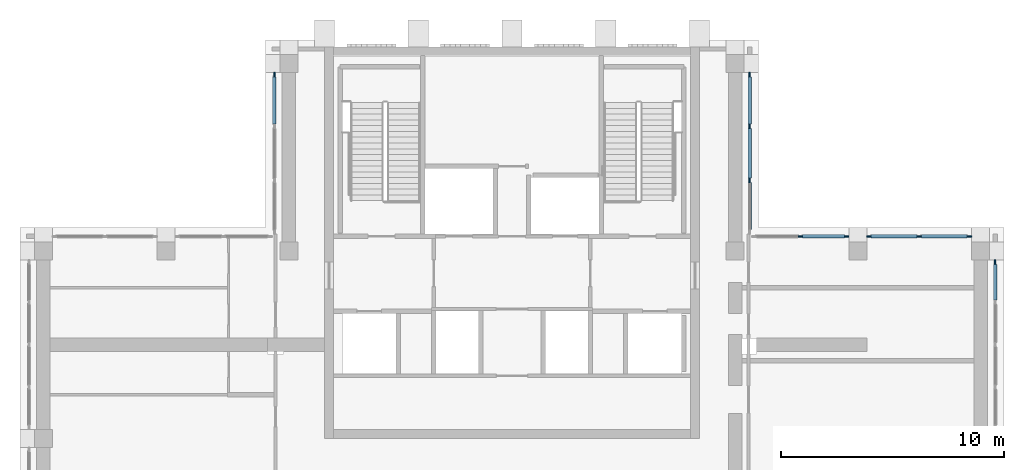
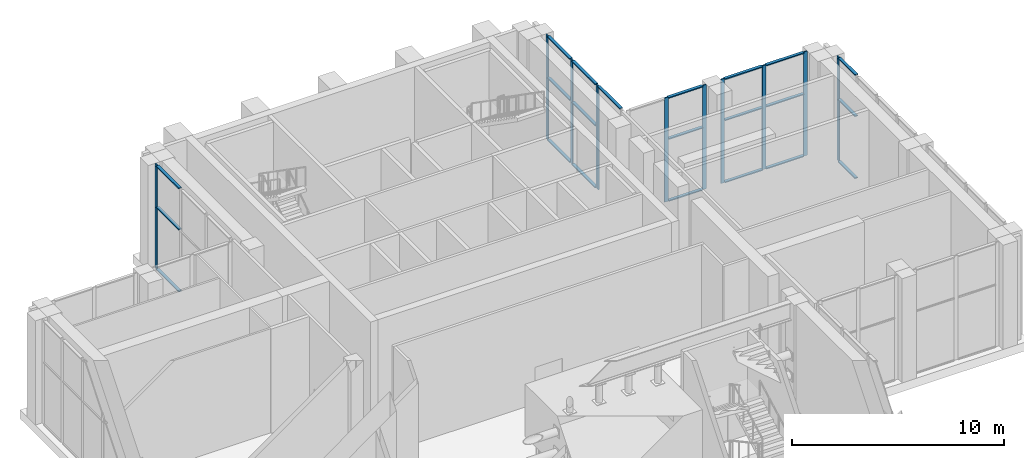
# One storey, part 6 of 14: 32 members, 5 elements without a shape of their own.
"""IFC4 building model written with IfcOpenShell, lengths in metres."""

import ifcopenshell
import ifcopenshell.guid

model = None  # the IFC model being written
_history = None  # IfcOwnerHistory: only IFC2X3 demands one
_inside = {}  # id of a spatial element -> (the spatial element, [elements in it])
_under = {}  # id of a project, library or spatial element -> (it, [spatial elements below it])
_declared = {}  # id of a project -> (the project, [libraries it declares])
_typed = {}  # id of a type object -> (the type object, [elements of that type])
_made_of = {}  # id of a material, layer set ... -> (it, [elements and type objects made of it])


def new_model(schema):
    """Start an empty IFC model of exactly this schema.

    Asked for "IFC4X3", IfcOpenShell would pick the latest addendum, in which some entities
    have other attributes; the version numbers below select the first issue.
    IFC2X3 requires an IfcOwnerHistory on every rooted entity: one is made here for all.
    """
    global model, _history
    if schema == "IFC4X3":
        model = ifcopenshell.file(schema_version=(4, 3, 0, 0))
    else:
        model = ifcopenshell.file(schema=schema)
    _inside.clear()
    _under.clear()
    _declared.clear()
    _typed.clear()
    _made_of.clear()
    _history = None
    if model.schema == "IFC2X3":
        org = make("IfcOrganization", Name="unknown")
        user = make(
            "IfcPersonAndOrganization",
            ThePerson=make("IfcPerson", FamilyName="unknown"),
            TheOrganization=org,
        )
        app = make(
            "IfcApplication",
            ApplicationDeveloper=org,
            Version="unknown",
            ApplicationFullName="unknown",
            ApplicationIdentifier="unknown",
        )
        _history = make(
            "IfcOwnerHistory",
            OwningUser=user,
            OwningApplication=app,
            ChangeAction="ADDED",
            CreationDate=0,
        )
    return model


def make(cls, **values):
    """One entity of the class cls with the attributes given. An attribute that is None is left unset."""
    return model.create_entity(
        cls, **{name: value for name, value in values.items() if value is not None}
    )


def rooted(cls, **values):
    """An entity with a GlobalId (a new one), such as an element, a storey or a relation."""
    return make(cls, GlobalId=ifcopenshell.guid.new(), OwnerHistory=_history, **values)


def si_unit(unit_type, name, prefix=None):
    """IfcSIUnit, for example si_unit("LENGTHUNIT", "METRE", prefix="MILLI")."""
    return make("IfcSIUnit", UnitType=unit_type, Prefix=prefix, Name=name)


def assignment(units):
    """IfcUnitAssignment: the units of a project."""
    return None if units is None else make("IfcUnitAssignment", Units=units)


def point(xyz):
    """IfcCartesianPoint."""
    return None if xyz is None else make("IfcCartesianPoint", Coordinates=xyz)


def direction(xyz):
    """IfcDirection."""
    return None if xyz is None else make("IfcDirection", DirectionRatios=xyz)


def frame(location, z_axis=None, x_axis=None):
    """IfcAxis2Placement3D, a coordinate frame: its origin and axes. An axis left out is left unset."""
    return make(
        "IfcAxis2Placement3D",
        Location=point(location),
        Axis=direction(z_axis),
        RefDirection=direction(x_axis),
    )


def frame_2d(location, x_axis=None):
    """IfcAxis2Placement2D, a coordinate frame in the plane: its origin and x axis."""
    return make(
        "IfcAxis2Placement2D", Location=point(location), RefDirection=direction(x_axis)
    )


def origin():
    """The frame at (0, 0, 0) with its axes left unset."""
    return frame((0.0, 0.0, 0.0))


def origin_2d():
    """The frame at (0, 0) in the plane with its x axis left unset."""
    return frame_2d((0.0, 0.0))


def place(relative_to, where):
    """IfcLocalPlacement: puts the frame where relative to a parent placement (None: the world)."""
    return make(
        "IfcLocalPlacement", PlacementRelTo=relative_to, RelativePlacement=where
    )


def context(
    kind, dimensions, precision=None, world=None, true_north=None, identifier=None
):
    """IfcGeometricRepresentationContext, for example the 3D "Model" context."""
    return make(
        "IfcGeometricRepresentationContext",
        ContextIdentifier=identifier,
        ContextType=kind,
        CoordinateSpaceDimension=dimensions,
        Precision=precision,
        WorldCoordinateSystem=world,
        TrueNorth=true_north,
    )


def subcontext(parent, identifier, kind, view, scale=None):
    """IfcGeometricRepresentationSubContext, for example "Body" below "Model"."""
    return make(
        "IfcGeometricRepresentationSubContext",
        ContextIdentifier=identifier,
        ContextType=kind,
        ParentContext=parent,
        TargetScale=scale,
        TargetView=view,
    )


def project(units=None, contexts=None):
    """IfcProject with its units and contexts."""
    return rooted(
        "IfcProject",
        Name="project",
        RepresentationContexts=contexts,
        UnitsInContext=assignment(units),
    )


def spatial(cls, under=None, at=None, **own):
    """A site, building, storey or space (cls), placed at a placement, below another one or the project."""
    s = rooted(cls, ObjectPlacement=at, **own)
    if under is not None:
        _under.setdefault(under.id(), (under, []))[1].append(s)
    return s


def profile(cls, at=None, kind="AREA", **sizes):
    """A parametric profile (cls). Its sizes go by their IFC names, for example OverallWidth=200.0."""
    return make(cls, ProfileType=kind, Position=at, **sizes)


def rectangle(**sizes):
    """IfcRectangleProfileDef."""
    return profile("IfcRectangleProfileDef", **sizes)


def extrude(swept, where, along, depth):
    """IfcExtrudedAreaSolid: the profile swept, set in the frame where, extruded along a direction by depth."""
    return make(
        "IfcExtrudedAreaSolid",
        SweptArea=swept,
        Position=where,
        ExtrudedDirection=direction(along),
        Depth=depth,
    )


def shape(context_of_items, identifier, shape_type, items):
    """IfcShapeRepresentation: the items that make up one representation, for example the "Body"."""
    return make(
        "IfcShapeRepresentation",
        ContextOfItems=context_of_items,
        RepresentationIdentifier=identifier,
        RepresentationType=shape_type,
        Items=items,
    )


def material(Name=None, Category=None):
    """IfcMaterial."""
    return make("IfcMaterial", Name=Name, Category=Category)


def material_profile(
    of_material, cross_section, Name=None, Category=None, Priority=None
):
    """IfcMaterialProfile: a cross section and its material."""
    return make(
        "IfcMaterialProfile",
        Name=Name,
        Material=of_material,
        Profile=cross_section,
        Priority=Priority,
        Category=Category,
    )


def profile_set(profiles, Name=None, composite=None):
    """IfcMaterialProfileSet."""
    return make(
        "IfcMaterialProfileSet",
        Name=Name,
        MaterialProfiles=profiles,
        CompositeProfile=composite,
    )


def made_of(thing, what):
    """Note that an element or type object is made of a material, layer set ...; save() writes the relation."""
    if what is not None:
        _made_of.setdefault(what.id(), (what, []))[1].append(thing)
    return thing


def type_object(cls, material=None, **own):
    """A type object (cls), such as IfcWallType, which elements share."""
    return made_of(rooted(cls, **own), material)


def element(
    cls,
    number,
    at=None,
    inside=None,
    cuts=None,
    type_object=None,
    material=None,
    context=None,
    identifier="Body",
    shape_type=None,
    held_by="IfcProductDefinitionShape",
    body=None,
    shapes=None,
    **own,
):
    """One element of the class cls, such as IfcWall. Its Tag is "e" and its number.

    at: its placement. inside: the storey or other place that contains it. cuts: it is an
    opening in that element (IfcRelVoidsElement). A single representation is given by context,
    identifier, shape_type and body (its items); several are given by shapes. held_by: the class
    of the entity that holds the representations. save() writes the other relations.
    """
    e = rooted(cls, Tag="e%d" % number, ObjectPlacement=at, **own)
    if body is not None:
        shapes = [shape(context, identifier, shape_type, body)]
    if shapes is not None:
        e.Representation = make(held_by, Representations=shapes)
    if inside is not None:
        _inside.setdefault(inside.id(), (inside, []))[1].append(e)
    if cuts is not None:
        rooted(
            "IfcRelVoidsElement", RelatingBuildingElement=cuts, RelatedOpeningElement=e
        )
    if type_object is not None:
        _typed.setdefault(type_object.id(), (type_object, []))[1].append(e)
    return made_of(e, material)


def aggregate(whole, parts):
    """IfcRelAggregates: a whole, such as a stair, and the parts it consists of."""
    return rooted("IfcRelAggregates", RelatingObject=whole, RelatedObjects=parts)


def save(model, path):
    """Write the relations noted so far, then the file.

    IfcRelAggregates (storeys below a building ...), IfcRelContainedInSpatialStructure (elements
    in a storey), IfcRelDefinesByType, IfcRelAssociatesMaterial and IfcRelDeclares: one each for
    every whole, place, type object, material and project.
    """
    for whole, parts in _under.values():
        aggregate(whole, parts)
    for where, things in _inside.values():
        rooted(
            "IfcRelContainedInSpatialStructure",
            RelatedElements=things,
            RelatingStructure=where,
        )
    for kind, things in _typed.values():
        rooted("IfcRelDefinesByType", RelatedObjects=things, RelatingType=kind)
    for what, things in _made_of.values():
        rooted("IfcRelAssociatesMaterial", RelatedObjects=things, RelatingMaterial=what)
    for by, libraries in _declared.values():
        rooted("IfcRelDeclares", RelatingContext=by, RelatedDefinitions=libraries)
    model.write(path)


model = new_model("IFC4")

# Units and contexts
model_context = context("Model", 3, precision=1e-05, world=origin(), true_north=direction((0.0, 1.0)))
body_context = subcontext(model_context, "Body", "Model", "MODEL_VIEW")
ifc_project = project(units=[si_unit("LENGTHUNIT", "METRE"), si_unit("AREAUNIT", "SQUARE_METRE"), si_unit("VOLUMEUNIT", "CUBIC_METRE"), si_unit("PLANEANGLEUNIT", "RADIAN"), si_unit("MASSUNIT", "GRAM", prefix="KILO")], contexts=[model_context])

# Site, building, storey
site_placement = place(None, origin())
site = spatial("IfcSite", under=ifc_project, at=site_placement, CompositionType="ELEMENT")
building_placement = place(site_placement, origin())
building = spatial("IfcBuilding", under=site, at=building_placement, Name="Vermilion Ogive Tower", CompositionType="ELEMENT")
storey_placement = place(building_placement, frame((0.0, 0.0, 278.35009765625)))
storey = spatial("IfcBuildingStorey", under=building, at=storey_placement, Name="L73", CompositionType="ELEMENT", Elevation=278.35009765625)

# Curtain wall, member
ifc_material_1 = material(Name="Laminated solar-control glazing in aluminium frame", Category="aluminium")
curtain_wall_type = type_object("IfcCurtainWallType", Name="Curtain wall CW4", PredefinedType="NOTDEFINED", material=ifc_material_1)
curtain_wall_1_placement = place(storey_placement, origin())
curtain_wall_1 = element("IfcCurtainWall", 1, at=curtain_wall_1_placement, inside=storey, type_object=curtain_wall_type, Name="CW4 glazing E2", PredefinedType="NOTDEFINED")
ifc_material_2 = material(Name="Aluminium mullion", Category="aluminium")
ifc_material_profile_1 = material_profile(ifc_material_2, rectangle(XDim=0.06005859375, YDim=0.199951171875, at=origin_2d()), Name="AL 60x200")
ifc_profile_set_1 = profile_set([ifc_material_profile_1], Name="Aluminium mullion")
member_type_1 = type_object("IfcMemberType", Name="CW4 mullion 60x200", PredefinedType="MULLION", material=ifc_profile_set_1)
member_1_placement = place(storey_placement, frame((21.64990234375, 12.10009765625, 0.0), z_axis=(0.0, 0.0, 1.0), x_axis=(-1.0, 0.0, 0.0)))
member_1 = element("IfcMember", 2, at=member_1_placement, type_object=member_type_1, Name="CW4-E2 mullion 5", PredefinedType="MULLION", context=body_context, shape_type="SweptSolid", body=[
    extrude(rectangle(XDim=0.06005859375, YDim=0.199951171875, at=origin_2d()), origin(), (0.0, 0.0, 1.0), 6.0),
])

# Curtain wall, members
curtain_wall_2_placement = place(storey_placement, origin())
curtain_wall_2 = element("IfcCurtainWall", 3, at=curtain_wall_2_placement, inside=storey, type_object=curtain_wall_type, Name="CW4 glazing X31", PredefinedType="NOTDEFINED")
member_2_placement = place(storey_placement, frame((20.5, 13.25, 0.0), z_axis=(0.0, 0.0, 1.0), x_axis=(0.0, -1.0, 0.0)))
member_2 = element("IfcMember", 4, at=member_2_placement, type_object=member_type_1, Name="CW4-X31 mullion 1", PredefinedType="MULLION", context=body_context, shape_type="SweptSolid", body=[
    extrude(rectangle(XDim=0.06005859375, YDim=0.199951171875, at=origin_2d()), origin(), (0.0, 0.0, 1.0), 6.0),
])
member_3_placement = place(storey_placement, frame((18.25, 13.25, 0.0), z_axis=(0.0, 0.0, 1.0), x_axis=(0.0, -1.0, 0.0)))
member_3 = element("IfcMember", 5, at=member_3_placement, type_object=member_type_1, Name="CW4-X31 mullion 2", PredefinedType="MULLION", context=body_context, shape_type="SweptSolid", body=[
    extrude(rectangle(XDim=0.06005859375, YDim=0.199951171875, at=origin_2d()), origin(), (0.0, 0.0, 1.0), 6.0),
])
member_4_placement = place(storey_placement, frame((16.0, 13.25, 0.0), z_axis=(0.0, 0.0, 1.0), x_axis=(0.0, -1.0, 0.0)))
member_4 = element("IfcMember", 6, at=member_4_placement, type_object=member_type_1, Name="CW4-X31 mullion 3", PredefinedType="MULLION", context=body_context, shape_type="SweptSolid", body=[
    extrude(rectangle(XDim=0.06005859375, YDim=0.199951171875, at=origin_2d()), origin(), (0.0, 0.0, 1.0), 6.0),
])

curtain_wall_3_placement = place(storey_placement, origin())
curtain_wall_3 = element("IfcCurtainWall", 7, at=curtain_wall_3_placement, inside=storey, type_object=curtain_wall_type, Name="CW4 glazing X32", PredefinedType="NOTDEFINED")
member_5_placement = place(storey_placement, frame((15.0, 13.25, 0.0), z_axis=(0.0, 0.0, 1.0), x_axis=(0.0, -1.0, 0.0)))
member_5 = element("IfcMember", 8, at=member_5_placement, type_object=member_type_1, Name="CW4-X32 mullion 1", PredefinedType="MULLION", context=body_context, shape_type="SweptSolid", body=[
    extrude(rectangle(XDim=0.06005859375, YDim=0.199951171875, at=origin_2d()), origin(), (0.0, 0.0, 1.0), 6.0),
])
member_6_placement = place(storey_placement, frame((12.925048828125, 13.25, 0.0), z_axis=(0.0, 0.0, 1.0), x_axis=(0.0, -1.0, 0.0)))
member_6 = element("IfcMember", 9, at=member_6_placement, type_object=member_type_1, Name="CW4-X32 mullion 2", PredefinedType="MULLION", context=body_context, shape_type="SweptSolid", body=[
    extrude(rectangle(XDim=0.06005859375, YDim=0.199951171875, at=origin_2d()), origin(), (0.0, 0.0, 1.0), 6.0),
])

curtain_wall_4_placement = place(storey_placement, origin())
curtain_wall_4 = element("IfcCurtainWall", 10, at=curtain_wall_4_placement, inside=storey, type_object=curtain_wall_type, Name="CW4 glazing X41", PredefinedType="NOTDEFINED")
member_7_placement = place(storey_placement, frame((10.64990234375, 15.7666015625, 0.0), z_axis=(0.0, 0.0, 1.0), x_axis=(-1.0, 0.0, 0.0)))
member_7 = element("IfcMember", 11, at=member_7_placement, type_object=member_type_1, Name="CW4-X41 mullion 2", PredefinedType="MULLION", context=body_context, shape_type="SweptSolid", body=[
    extrude(rectangle(XDim=0.06005859375, YDim=0.199951171875, at=origin_2d()), origin(), (0.0, 0.0, 1.0), 6.0),
])
member_8_placement = place(storey_placement, frame((10.64990234375, 18.183349609375, 0.0), z_axis=(0.0, 0.0, 1.0), x_axis=(-1.0, 0.0, 0.0)))
member_8 = element("IfcMember", 12, at=member_8_placement, type_object=member_type_1, Name="CW4-X41 mullion 3", PredefinedType="MULLION", context=body_context, shape_type="SweptSolid", body=[
    extrude(rectangle(XDim=0.06005859375, YDim=0.199951171875, at=origin_2d()), origin(), (0.0, 0.0, 1.0), 6.0),
])
member_9_placement = place(storey_placement, frame((10.64990234375, 20.5, 0.0), z_axis=(0.0, 0.0, 1.0), x_axis=(-1.0, 0.0, 0.0)))
member_9 = element("IfcMember", 13, at=member_9_placement, type_object=member_type_1, Name="CW4-X41 mullion 4", PredefinedType="MULLION", context=body_context, shape_type="SweptSolid", body=[
    extrude(rectangle(XDim=0.06005859375, YDim=0.199951171875, at=origin_2d()), origin(), (0.0, 0.0, 1.0), 6.0),
])

# Curtain wall, member
curtain_wall_5_placement = place(storey_placement, origin())
curtain_wall_5 = element("IfcCurtainWall", 14, at=curtain_wall_5_placement, inside=storey, type_object=curtain_wall_type, Name="CW4 glazing X51", PredefinedType="NOTDEFINED")
member_10_placement = place(storey_placement, frame((-10.64990234375, 20.5, 0.0), z_axis=(0.0, 0.0, 1.0), x_axis=(1.0, 0.0, 0.0)))
member_10 = element("IfcMember", 15, at=member_10_placement, type_object=member_type_1, Name="CW4-X51 mullion 1", PredefinedType="MULLION", context=body_context, shape_type="SweptSolid", body=[
    extrude(rectangle(XDim=0.06005859375, YDim=0.199951171875, at=origin_2d()), origin(), (0.0, 0.0, 1.0), 6.0),
])

# Member
ifc_material_3 = material(Name="Aluminium transom", Category="aluminium")
ifc_material_profile_2 = material_profile(ifc_material_3, rectangle(XDim=0.159912109375, YDim=0.06005859375, at=origin_2d()), Name="AL 60x160")
ifc_profile_set_2 = profile_set([ifc_material_profile_2], Name="Aluminium transom")
member_type_2 = type_object("IfcMemberType", Name="CW4 transom 60x160", PredefinedType="USERDEFINED", material=ifc_profile_set_2)
member_11_placement = place(storey_placement, frame((21.64990234375, 10.39990234375, 0.02978515625), z_axis=(0.0, 1.0, 0.0), x_axis=(-1.0, 0.0, 0.0)))
member_11 = element("IfcMember", 16, at=member_11_placement, type_object=member_type_2, Name="CW4-E2 transom 4.1", ObjectType="TRANSOM", PredefinedType="USERDEFINED", context=body_context, shape_type="SweptSolid", body=[
    extrude(rectangle(XDim=0.159912109375, YDim=0.06005859375, at=origin_2d()), origin(), (0.0, 0.0, 1.0), 1.60009765625),
])

member_12_placement = place(storey_placement, frame((21.64990234375, 10.39990234375, 3.599853515625), z_axis=(0.0, 1.0, 0.0), x_axis=(-1.0, 0.0, 0.0)))
member_12 = element("IfcMember", 17, at=member_12_placement, type_object=member_type_2, Name="CW4-E2 transom 4.2", ObjectType="TRANSOM", PredefinedType="USERDEFINED", context=body_context, shape_type="SweptSolid", body=[
    extrude(rectangle(XDim=0.159912109375, YDim=0.06005859375, at=origin_2d()), origin(), (0.0, 0.0, 1.0), 1.60009765625),
])

member_13_placement = place(storey_placement, frame((21.64990234375, 10.39990234375, 5.969970703125), z_axis=(0.0, 1.0, 0.0), x_axis=(-1.0, 0.0, 0.0)))
member_13 = element("IfcMember", 18, at=member_13_placement, type_object=member_type_2, Name="CW4-E2 transom 4.3", ObjectType="TRANSOM", PredefinedType="USERDEFINED", context=body_context, shape_type="SweptSolid", body=[
    extrude(rectangle(XDim=0.159912109375, YDim=0.06005859375, at=origin_2d()), origin(), (0.0, 0.0, 1.0), 1.60009765625),
])

aggregate(curtain_wall_1, [member_1, member_11, member_12, member_13])

member_14_placement = place(storey_placement, frame((20.39990234375, 13.25, 0.02978515625), z_axis=(-1.0, 0.0, 0.0), x_axis=(0.0, -1.0, 0.0)))
member_14 = element("IfcMember", 19, at=member_14_placement, type_object=member_type_2, Name="CW4-X31 transom 1.1", ObjectType="TRANSOM", PredefinedType="USERDEFINED", context=body_context, shape_type="SweptSolid", body=[
    extrude(rectangle(XDim=0.159912109375, YDim=0.06005859375, at=origin_2d()), origin(), (0.0, 0.0, 1.0), 2.0498046875),
])

member_15_placement = place(storey_placement, frame((20.39990234375, 13.25, 3.599853515625), z_axis=(-1.0, 0.0, 0.0), x_axis=(0.0, -1.0, 0.0)))
member_15 = element("IfcMember", 20, at=member_15_placement, type_object=member_type_2, Name="CW4-X31 transom 1.2", ObjectType="TRANSOM", PredefinedType="USERDEFINED", context=body_context, shape_type="SweptSolid", body=[
    extrude(rectangle(XDim=0.159912109375, YDim=0.06005859375, at=origin_2d()), origin(), (0.0, 0.0, 1.0), 2.0498046875),
])

member_16_placement = place(storey_placement, frame((20.39990234375, 13.25, 5.969970703125), z_axis=(-1.0, 0.0, 0.0), x_axis=(0.0, -1.0, 0.0)))
member_16 = element("IfcMember", 21, at=member_16_placement, type_object=member_type_2, Name="CW4-X31 transom 1.3", ObjectType="TRANSOM", PredefinedType="USERDEFINED", context=body_context, shape_type="SweptSolid", body=[
    extrude(rectangle(XDim=0.159912109375, YDim=0.06005859375, at=origin_2d()), origin(), (0.0, 0.0, 1.0), 2.0498046875),
])

member_17_placement = place(storey_placement, frame((18.14990234375, 13.25, 0.02978515625), z_axis=(-1.0, 0.0, 0.0), x_axis=(0.0, -1.0, 0.0)))
member_17 = element("IfcMember", 22, at=member_17_placement, type_object=member_type_2, Name="CW4-X31 transom 2.1", ObjectType="TRANSOM", PredefinedType="USERDEFINED", context=body_context, shape_type="SweptSolid", body=[
    extrude(rectangle(XDim=0.159912109375, YDim=0.06005859375, at=origin_2d()), origin(), (0.0, 0.0, 1.0), 2.0498046875),
])

member_18_placement = place(storey_placement, frame((18.14990234375, 13.25, 3.599853515625), z_axis=(-1.0, 0.0, 0.0), x_axis=(0.0, -1.0, 0.0)))
member_18 = element("IfcMember", 23, at=member_18_placement, type_object=member_type_2, Name="CW4-X31 transom 2.2", ObjectType="TRANSOM", PredefinedType="USERDEFINED", context=body_context, shape_type="SweptSolid", body=[
    extrude(rectangle(XDim=0.159912109375, YDim=0.06005859375, at=origin_2d()), origin(), (0.0, 0.0, 1.0), 2.0498046875),
])

member_19_placement = place(storey_placement, frame((18.14990234375, 13.25, 5.969970703125), z_axis=(-1.0, 0.0, 0.0), x_axis=(0.0, -1.0, 0.0)))
member_19 = element("IfcMember", 24, at=member_19_placement, type_object=member_type_2, Name="CW4-X31 transom 2.3", ObjectType="TRANSOM", PredefinedType="USERDEFINED", context=body_context, shape_type="SweptSolid", body=[
    extrude(rectangle(XDim=0.159912109375, YDim=0.06005859375, at=origin_2d()), origin(), (0.0, 0.0, 1.0), 2.0498046875),
])

aggregate(curtain_wall_2, [member_2, member_3, member_4, member_14, member_15, member_16, member_17, member_18, member_19])

member_20_placement = place(storey_placement, frame((14.89990234375, 13.25, 0.02978515625), z_axis=(-1.0, 0.0, 0.0), x_axis=(0.0, -1.0, 0.0)))
member_20 = element("IfcMember", 25, at=member_20_placement, type_object=member_type_2, Name="CW4-X32 transom 1.1", ObjectType="TRANSOM", PredefinedType="USERDEFINED", context=body_context, shape_type="SweptSolid", body=[
    extrude(rectangle(XDim=0.159912109375, YDim=0.06005859375, at=origin_2d()), origin(), (0.0, 0.0, 1.0), 1.875),
])

member_21_placement = place(storey_placement, frame((14.89990234375, 13.25, 3.599853515625), z_axis=(-1.0, 0.0, 0.0), x_axis=(0.0, -1.0, 0.0)))
member_21 = element("IfcMember", 26, at=member_21_placement, type_object=member_type_2, Name="CW4-X32 transom 1.2", ObjectType="TRANSOM", PredefinedType="USERDEFINED", context=body_context, shape_type="SweptSolid", body=[
    extrude(rectangle(XDim=0.159912109375, YDim=0.06005859375, at=origin_2d()), origin(), (0.0, 0.0, 1.0), 1.875),
])

member_22_placement = place(storey_placement, frame((14.89990234375, 13.25, 5.969970703125), z_axis=(-1.0, 0.0, 0.0), x_axis=(0.0, -1.0, 0.0)))
member_22 = element("IfcMember", 27, at=member_22_placement, type_object=member_type_2, Name="CW4-X32 transom 1.3", ObjectType="TRANSOM", PredefinedType="USERDEFINED", context=body_context, shape_type="SweptSolid", body=[
    extrude(rectangle(XDim=0.159912109375, YDim=0.06005859375, at=origin_2d()), origin(), (0.0, 0.0, 1.0), 1.875),
])

aggregate(curtain_wall_3, [member_5, member_6, member_20, member_21, member_22])

member_23_placement = place(storey_placement, frame((10.64990234375, 13.550048828125, 5.969970703125), z_axis=(0.0, 1.0, 0.0), x_axis=(-1.0, 0.0, 0.0)))
member_23 = element("IfcMember", 28, at=member_23_placement, type_object=member_type_2, Name="CW4-X41 transom 1.3", ObjectType="TRANSOM", PredefinedType="USERDEFINED", context=body_context, shape_type="SweptSolid", body=[
    extrude(rectangle(XDim=0.159912109375, YDim=0.06005859375, at=origin_2d()), origin(), (0.0, 0.0, 1.0), 2.11669921875),
])

member_24_placement = place(storey_placement, frame((10.64990234375, 15.86669921875, 0.02978515625), z_axis=(0.0, 1.0, 0.0), x_axis=(-1.0, 0.0, 0.0)))
member_24 = element("IfcMember", 29, at=member_24_placement, type_object=member_type_2, Name="CW4-X41 transom 2.1", ObjectType="TRANSOM", PredefinedType="USERDEFINED", context=body_context, shape_type="SweptSolid", body=[
    extrude(rectangle(XDim=0.159912109375, YDim=0.06005859375, at=origin_2d()), origin(), (0.0, 0.0, 1.0), 2.216552734375),
])

member_25_placement = place(storey_placement, frame((10.64990234375, 15.86669921875, 3.599853515625), z_axis=(0.0, 1.0, 0.0), x_axis=(-1.0, 0.0, 0.0)))
member_25 = element("IfcMember", 30, at=member_25_placement, type_object=member_type_2, Name="CW4-X41 transom 2.2", ObjectType="TRANSOM", PredefinedType="USERDEFINED", context=body_context, shape_type="SweptSolid", body=[
    extrude(rectangle(XDim=0.159912109375, YDim=0.06005859375, at=origin_2d()), origin(), (0.0, 0.0, 1.0), 2.216552734375),
])

member_26_placement = place(storey_placement, frame((10.64990234375, 15.86669921875, 5.969970703125), z_axis=(0.0, 1.0, 0.0), x_axis=(-1.0, 0.0, 0.0)))
member_26 = element("IfcMember", 31, at=member_26_placement, type_object=member_type_2, Name="CW4-X41 transom 2.3", ObjectType="TRANSOM", PredefinedType="USERDEFINED", context=body_context, shape_type="SweptSolid", body=[
    extrude(rectangle(XDim=0.159912109375, YDim=0.06005859375, at=origin_2d()), origin(), (0.0, 0.0, 1.0), 2.216552734375),
])

member_27_placement = place(storey_placement, frame((10.64990234375, 18.283447265625, 0.02978515625), z_axis=(0.0, 1.0, 0.0), x_axis=(-1.0, 0.0, 0.0)))
member_27 = element("IfcMember", 32, at=member_27_placement, type_object=member_type_2, Name="CW4-X41 transom 3.1", ObjectType="TRANSOM", PredefinedType="USERDEFINED", context=body_context, shape_type="SweptSolid", body=[
    extrude(rectangle(XDim=0.159912109375, YDim=0.06005859375, at=origin_2d()), origin(), (0.0, 0.0, 1.0), 2.116455078125),
])

member_28_placement = place(storey_placement, frame((10.64990234375, 18.283447265625, 3.599853515625), z_axis=(0.0, 1.0, 0.0), x_axis=(-1.0, 0.0, 0.0)))
member_28 = element("IfcMember", 33, at=member_28_placement, type_object=member_type_2, Name="CW4-X41 transom 3.2", ObjectType="TRANSOM", PredefinedType="USERDEFINED", context=body_context, shape_type="SweptSolid", body=[
    extrude(rectangle(XDim=0.159912109375, YDim=0.06005859375, at=origin_2d()), origin(), (0.0, 0.0, 1.0), 2.116455078125),
])

member_29_placement = place(storey_placement, frame((10.64990234375, 18.283447265625, 5.969970703125), z_axis=(0.0, 1.0, 0.0), x_axis=(-1.0, 0.0, 0.0)))
member_29 = element("IfcMember", 34, at=member_29_placement, type_object=member_type_2, Name="CW4-X41 transom 3.3", ObjectType="TRANSOM", PredefinedType="USERDEFINED", context=body_context, shape_type="SweptSolid", body=[
    extrude(rectangle(XDim=0.159912109375, YDim=0.06005859375, at=origin_2d()), origin(), (0.0, 0.0, 1.0), 2.116455078125),
])

aggregate(curtain_wall_4, [member_7, member_8, member_9, member_23, member_24, member_25, member_26, member_27, member_28, member_29])

member_30_placement = place(storey_placement, frame((-10.64990234375, 20.39990234375, 0.02978515625), z_axis=(0.0, -1.0, 0.0), x_axis=(1.0, 0.0, 0.0)))
member_30 = element("IfcMember", 35, at=member_30_placement, type_object=member_type_2, Name="CW4-X51 transom 1.1", ObjectType="TRANSOM", PredefinedType="USERDEFINED", context=body_context, shape_type="SweptSolid", body=[
    extrude(rectangle(XDim=0.159912109375, YDim=0.06005859375, at=origin_2d()), origin(), (0.0, 0.0, 1.0), 2.116455078125),
])

member_31_placement = place(storey_placement, frame((-10.64990234375, 20.39990234375, 3.599853515625), z_axis=(0.0, -1.0, 0.0), x_axis=(1.0, 0.0, 0.0)))
member_31 = element("IfcMember", 36, at=member_31_placement, type_object=member_type_2, Name="CW4-X51 transom 1.2", ObjectType="TRANSOM", PredefinedType="USERDEFINED", context=body_context, shape_type="SweptSolid", body=[
    extrude(rectangle(XDim=0.159912109375, YDim=0.06005859375, at=origin_2d()), origin(), (0.0, 0.0, 1.0), 2.116455078125),
])

member_32_placement = place(storey_placement, frame((-10.64990234375, 20.39990234375, 5.969970703125), z_axis=(0.0, -1.0, 0.0), x_axis=(1.0, 0.0, 0.0)))
member_32 = element("IfcMember", 37, at=member_32_placement, type_object=member_type_2, Name="CW4-X51 transom 1.3", ObjectType="TRANSOM", PredefinedType="USERDEFINED", context=body_context, shape_type="SweptSolid", body=[
    extrude(rectangle(XDim=0.159912109375, YDim=0.06005859375, at=origin_2d()), origin(), (0.0, 0.0, 1.0), 2.116455078125),
])

aggregate(curtain_wall_5, [member_10, member_30, member_31, member_32])

save(model, "model.ifc")
